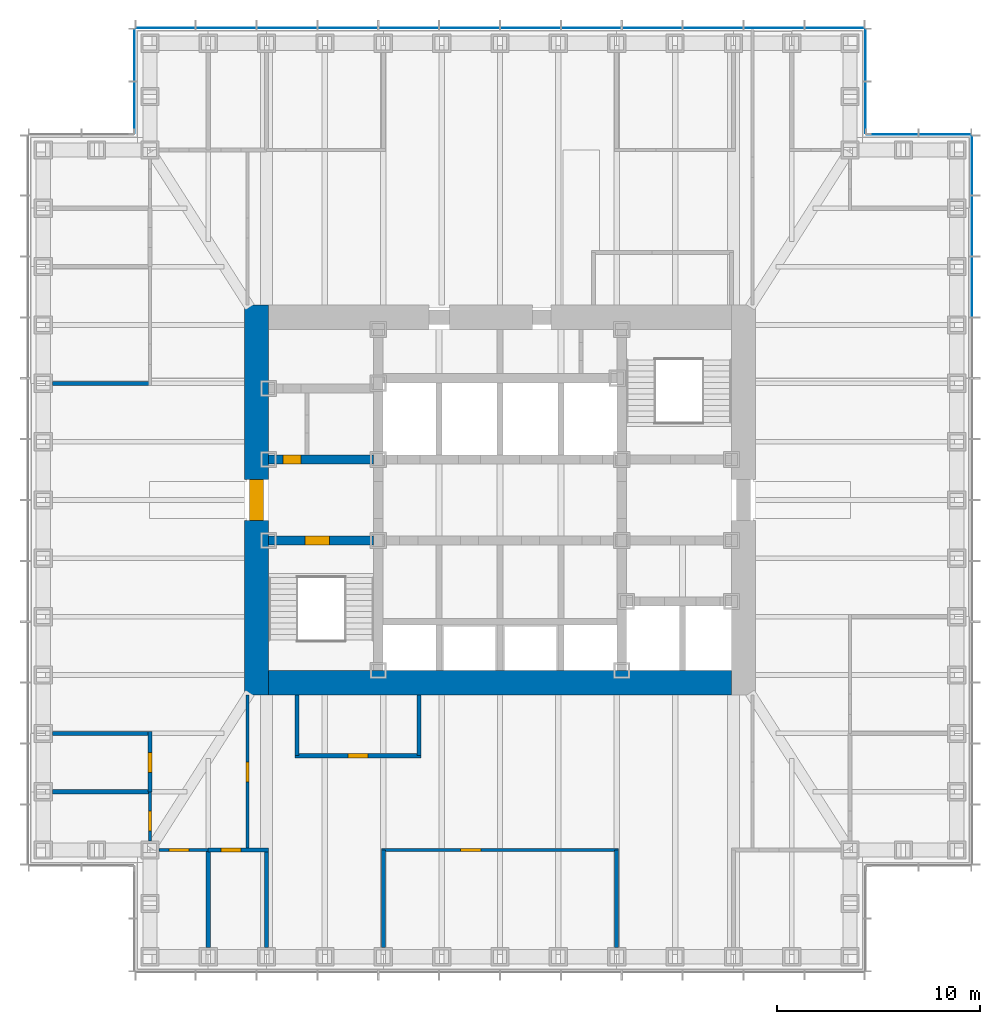
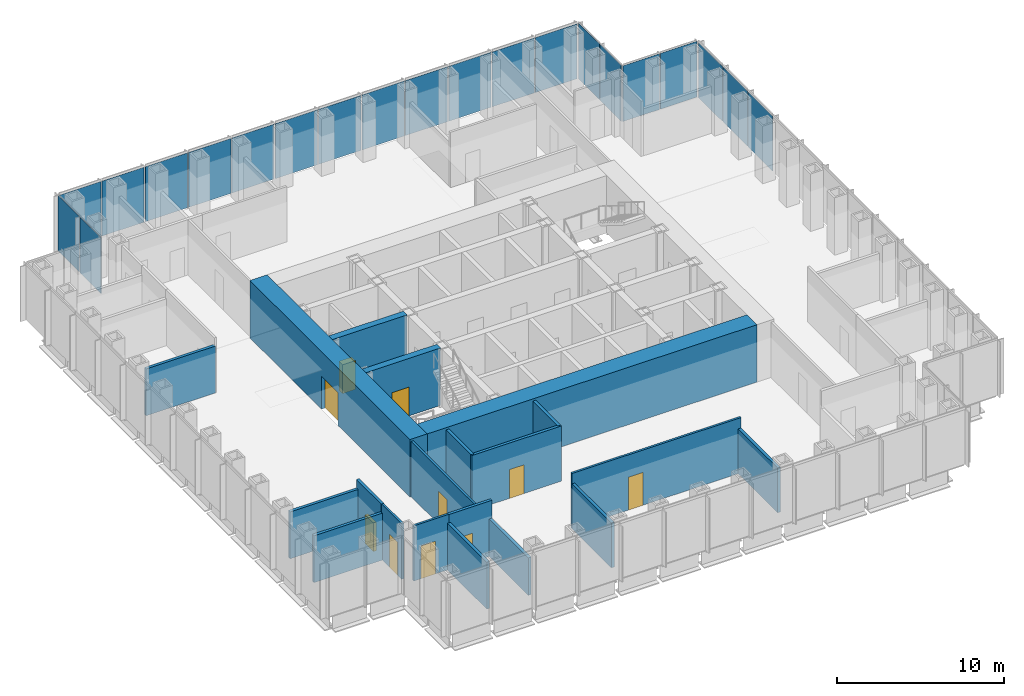
# One storey, part 8 of 17: 21 plates, 20 walls, 10 doors, 10 openings, 5 elements without a shape of their own.
"""IFC4 building model written with IfcOpenShell, lengths in metres."""

import ifcopenshell
import ifcopenshell.guid

model = None  # the IFC model being written
_history = None  # IfcOwnerHistory: only IFC2X3 demands one
_inside = {}  # id of a spatial element -> (the spatial element, [elements in it])
_under = {}  # id of a project, library or spatial element -> (it, [spatial elements below it])
_declared = {}  # id of a project -> (the project, [libraries it declares])
_typed = {}  # id of a type object -> (the type object, [elements of that type])
_made_of = {}  # id of a material, layer set ... -> (it, [elements and type objects made of it])


def new_model(schema):
    """Start an empty IFC model of exactly this schema.

    Asked for "IFC4X3", IfcOpenShell would pick the latest addendum, in which some entities
    have other attributes; the version numbers below select the first issue.
    IFC2X3 requires an IfcOwnerHistory on every rooted entity: one is made here for all.
    """
    global model, _history
    if schema == "IFC4X3":
        model = ifcopenshell.file(schema_version=(4, 3, 0, 0))
    else:
        model = ifcopenshell.file(schema=schema)
    _inside.clear()
    _under.clear()
    _declared.clear()
    _typed.clear()
    _made_of.clear()
    _history = None
    if model.schema == "IFC2X3":
        org = make("IfcOrganization", Name="unknown")
        user = make(
            "IfcPersonAndOrganization",
            ThePerson=make("IfcPerson", FamilyName="unknown"),
            TheOrganization=org,
        )
        app = make(
            "IfcApplication",
            ApplicationDeveloper=org,
            Version="unknown",
            ApplicationFullName="unknown",
            ApplicationIdentifier="unknown",
        )
        _history = make(
            "IfcOwnerHistory",
            OwningUser=user,
            OwningApplication=app,
            ChangeAction="ADDED",
            CreationDate=0,
        )
    return model


def make(cls, **values):
    """One entity of the class cls with the attributes given. An attribute that is None is left unset."""
    return model.create_entity(
        cls, **{name: value for name, value in values.items() if value is not None}
    )


def rooted(cls, **values):
    """An entity with a GlobalId (a new one), such as an element, a storey or a relation."""
    return make(cls, GlobalId=ifcopenshell.guid.new(), OwnerHistory=_history, **values)


def si_unit(unit_type, name, prefix=None):
    """IfcSIUnit, for example si_unit("LENGTHUNIT", "METRE", prefix="MILLI")."""
    return make("IfcSIUnit", UnitType=unit_type, Prefix=prefix, Name=name)


def assignment(units):
    """IfcUnitAssignment: the units of a project."""
    return None if units is None else make("IfcUnitAssignment", Units=units)


def point(xyz):
    """IfcCartesianPoint."""
    return None if xyz is None else make("IfcCartesianPoint", Coordinates=xyz)


def direction(xyz):
    """IfcDirection."""
    return None if xyz is None else make("IfcDirection", DirectionRatios=xyz)


def frame(location, z_axis=None, x_axis=None):
    """IfcAxis2Placement3D, a coordinate frame: its origin and axes. An axis left out is left unset."""
    return make(
        "IfcAxis2Placement3D",
        Location=point(location),
        Axis=direction(z_axis),
        RefDirection=direction(x_axis),
    )


def frame_2d(location, x_axis=None):
    """IfcAxis2Placement2D, a coordinate frame in the plane: its origin and x axis."""
    return make(
        "IfcAxis2Placement2D", Location=point(location), RefDirection=direction(x_axis)
    )


def origin():
    """The frame at (0, 0, 0) with its axes left unset."""
    return frame((0.0, 0.0, 0.0))


def origin_2d():
    """The frame at (0, 0) in the plane with its x axis left unset."""
    return frame_2d((0.0, 0.0))


def place(relative_to, where):
    """IfcLocalPlacement: puts the frame where relative to a parent placement (None: the world)."""
    return make(
        "IfcLocalPlacement", PlacementRelTo=relative_to, RelativePlacement=where
    )


def context(
    kind, dimensions, precision=None, world=None, true_north=None, identifier=None
):
    """IfcGeometricRepresentationContext, for example the 3D "Model" context."""
    return make(
        "IfcGeometricRepresentationContext",
        ContextIdentifier=identifier,
        ContextType=kind,
        CoordinateSpaceDimension=dimensions,
        Precision=precision,
        WorldCoordinateSystem=world,
        TrueNorth=true_north,
    )


def subcontext(parent, identifier, kind, view, scale=None):
    """IfcGeometricRepresentationSubContext, for example "Body" below "Model"."""
    return make(
        "IfcGeometricRepresentationSubContext",
        ContextIdentifier=identifier,
        ContextType=kind,
        ParentContext=parent,
        TargetScale=scale,
        TargetView=view,
    )


def project(units=None, contexts=None):
    """IfcProject with its units and contexts."""
    return rooted(
        "IfcProject",
        Name="project",
        RepresentationContexts=contexts,
        UnitsInContext=assignment(units),
    )


def spatial(cls, under=None, at=None, **own):
    """A site, building, storey or space (cls), placed at a placement, below another one or the project."""
    s = rooted(cls, ObjectPlacement=at, **own)
    if under is not None:
        _under.setdefault(under.id(), (under, []))[1].append(s)
    return s


def profile(cls, at=None, kind="AREA", **sizes):
    """A parametric profile (cls). Its sizes go by their IFC names, for example OverallWidth=200.0."""
    return make(cls, ProfileType=kind, Position=at, **sizes)


def rectangle(**sizes):
    """IfcRectangleProfileDef."""
    return profile("IfcRectangleProfileDef", **sizes)


def extrude(swept, where, along, depth):
    """IfcExtrudedAreaSolid: the profile swept, set in the frame where, extruded along a direction by depth."""
    return make(
        "IfcExtrudedAreaSolid",
        SweptArea=swept,
        Position=where,
        ExtrudedDirection=direction(along),
        Depth=depth,
    )


def shape(context_of_items, identifier, shape_type, items):
    """IfcShapeRepresentation: the items that make up one representation, for example the "Body"."""
    return make(
        "IfcShapeRepresentation",
        ContextOfItems=context_of_items,
        RepresentationIdentifier=identifier,
        RepresentationType=shape_type,
        Items=items,
    )


def material(Name=None, Category=None):
    """IfcMaterial."""
    return make("IfcMaterial", Name=Name, Category=Category)


def layer(
    of_material, thickness, ventilated=None, Name=None, Category=None, Priority=None
):
    """IfcMaterialLayer: one layer of a wall or slab, of a material (None: an air gap)."""
    return make(
        "IfcMaterialLayer",
        Material=of_material,
        LayerThickness=thickness,
        IsVentilated=ventilated,
        Name=Name,
        Category=Category,
        Priority=Priority,
    )


def layer_set(layers, Name=None):
    """IfcMaterialLayerSet."""
    return make("IfcMaterialLayerSet", MaterialLayers=layers, LayerSetName=Name)


def made_of(thing, what):
    """Note that an element or type object is made of a material, layer set ...; save() writes the relation."""
    if what is not None:
        _made_of.setdefault(what.id(), (what, []))[1].append(thing)
    return thing


def type_object(cls, material=None, **own):
    """A type object (cls), such as IfcWallType, which elements share."""
    return made_of(rooted(cls, **own), material)


def element(
    cls,
    number,
    at=None,
    inside=None,
    cuts=None,
    type_object=None,
    material=None,
    context=None,
    identifier="Body",
    shape_type=None,
    held_by="IfcProductDefinitionShape",
    body=None,
    shapes=None,
    **own,
):
    """One element of the class cls, such as IfcWall. Its Tag is "e" and its number.

    at: its placement. inside: the storey or other place that contains it. cuts: it is an
    opening in that element (IfcRelVoidsElement). A single representation is given by context,
    identifier, shape_type and body (its items); several are given by shapes. held_by: the class
    of the entity that holds the representations. save() writes the other relations.
    """
    e = rooted(cls, Tag="e%d" % number, ObjectPlacement=at, **own)
    if body is not None:
        shapes = [shape(context, identifier, shape_type, body)]
    if shapes is not None:
        e.Representation = make(held_by, Representations=shapes)
    if inside is not None:
        _inside.setdefault(inside.id(), (inside, []))[1].append(e)
    if cuts is not None:
        rooted(
            "IfcRelVoidsElement", RelatingBuildingElement=cuts, RelatedOpeningElement=e
        )
    if type_object is not None:
        _typed.setdefault(type_object.id(), (type_object, []))[1].append(e)
    return made_of(e, material)


def fill(opening, filler):
    """IfcRelFillsElement: the door or window that sits in an opening."""
    return rooted(
        "IfcRelFillsElement",
        RelatingOpeningElement=opening,
        RelatedBuildingElement=filler,
    )


def aggregate(whole, parts):
    """IfcRelAggregates: a whole, such as a stair, and the parts it consists of."""
    return rooted("IfcRelAggregates", RelatingObject=whole, RelatedObjects=parts)


def save(model, path):
    """Write the relations noted so far, then the file.

    IfcRelAggregates (storeys below a building ...), IfcRelContainedInSpatialStructure (elements
    in a storey), IfcRelDefinesByType, IfcRelAssociatesMaterial and IfcRelDeclares: one each for
    every whole, place, type object, material and project.
    """
    for whole, parts in _under.values():
        aggregate(whole, parts)
    for where, things in _inside.values():
        rooted(
            "IfcRelContainedInSpatialStructure",
            RelatedElements=things,
            RelatingStructure=where,
        )
    for kind, things in _typed.values():
        rooted("IfcRelDefinesByType", RelatedObjects=things, RelatingType=kind)
    for what, things in _made_of.values():
        rooted("IfcRelAssociatesMaterial", RelatedObjects=things, RelatingMaterial=what)
    for by, libraries in _declared.values():
        rooted("IfcRelDeclares", RelatingContext=by, RelatedDefinitions=libraries)
    model.write(path)


model = new_model("IFC4")

# Units and contexts
model_context = context("Model", 3, precision=1e-05, world=origin(), true_north=direction((0.0, 1.0)))
body_context = subcontext(model_context, "Body", "Model", "MODEL_VIEW")
ifc_project = project(units=[si_unit("LENGTHUNIT", "METRE"), si_unit("AREAUNIT", "SQUARE_METRE"), si_unit("VOLUMEUNIT", "CUBIC_METRE"), si_unit("PLANEANGLEUNIT", "RADIAN"), si_unit("MASSUNIT", "GRAM", prefix="KILO")], contexts=[model_context])

# Site, building, storey
site_placement = place(None, origin())
site = spatial("IfcSite", under=ifc_project, at=site_placement, CompositionType="ELEMENT")
building_placement = place(site_placement, origin())
building = spatial("IfcBuilding", under=site, at=building_placement, Name="Daluyong Arena Tower", CompositionType="ELEMENT")
storey_placement = place(building_placement, frame((0.0, 0.0, 145.89990234375)))
storey = spatial("IfcBuildingStorey", under=building, at=storey_placement, Name="L32", CompositionType="ELEMENT", Elevation=145.89990234375)

# Curtain wall, plates
ifc_material_1 = material(Name="Bronze anodised aluminium and glass", Category="aluminium")
curtain_wall_type_1 = type_object("IfcCurtainWallType", Name="Curtain wall CW2", PredefinedType="USERDEFINED", material=ifc_material_1)
curtain_wall_1_placement = place(storey_placement, origin())
curtain_wall_1 = element("IfcCurtainWall", 1, at=curtain_wall_1_placement, inside=storey, type_object=curtain_wall_type_1, Name="curtain wall L32 E", ObjectType="UNITISED CURTAIN WALL", PredefinedType="USERDEFINED")
ifc_material_2 = material(Name="Tinted double glazed unit", Category="glass")
ifc_layer_1 = layer(ifc_material_2, 0.031982421875)
ifc_layer_set_1 = layer_set([ifc_layer_1], Name="Tinted double glazed unit")
plate_type_1 = type_object("IfcPlateType", Name="CW2 panel 32", PredefinedType="CURTAIN_PANEL", material=ifc_layer_set_1)
plate_1_placement = place(storey_placement, frame((79.25, 90.5, 0.0), z_axis=(0.0, 0.0, 1.0), x_axis=(0.0, 1.0, 0.0)))
plate_1 = element("IfcPlate", 2, at=plate_1_placement, type_object=plate_type_1, Name="curtain wall L32 E panel 10", PredefinedType="CURTAIN_PANEL", context=body_context, shape_type="SweptSolid", body=[
    extrude(rectangle(XDim=2.919921875, YDim=0.031982421875, at=origin_2d()), origin(), (0.0, 0.0, 1.0), 4.02001953125),
])
plate_2_placement = place(storey_placement, frame((79.25, 93.5, 0.0), z_axis=(0.0, 0.0, 1.0), x_axis=(0.0, 1.0, 0.0)))
plate_2 = element("IfcPlate", 3, at=plate_2_placement, type_object=plate_type_1, Name="curtain wall L32 E panel 11", PredefinedType="CURTAIN_PANEL", context=body_context, shape_type="SweptSolid", body=[
    extrude(rectangle(XDim=2.919921875, YDim=0.031982421875, at=origin_2d()), origin(), (0.0, 0.0, 1.0), 4.02001953125),
])
plate_3_placement = place(storey_placement, frame((79.25, 96.47998046875, 0.0), z_axis=(0.0, 0.0, 1.0), x_axis=(0.0, 1.0, 0.0)))
plate_3 = element("IfcPlate", 4, at=plate_3_placement, type_object=plate_type_1, Name="curtain wall L32 E panel 12", PredefinedType="CURTAIN_PANEL", context=body_context, shape_type="SweptSolid", body=[
    extrude(rectangle(XDim=2.8798828125, YDim=0.031982421875, at=origin_2d()), origin(), (0.0, 0.0, 1.0), 4.02001953125),
])
aggregate(curtain_wall_1, [plate_1, plate_2, plate_3])

curtain_wall_2_placement = place(storey_placement, origin())
curtain_wall_2 = element("IfcCurtainWall", 5, at=curtain_wall_2_placement, inside=storey, type_object=curtain_wall_type_1, Name="curtain wall L32 N", ObjectType="UNITISED CURTAIN WALL", PredefinedType="USERDEFINED")
plate_4_placement = place(storey_placement, frame((72.47998046875, 103.25, 0.0), z_axis=(0.0, 0.0, 1.0), x_axis=(-1.0, 0.0, 0.0)))
plate_4 = element("IfcPlate", 6, at=plate_4_placement, type_object=plate_type_1, Name="curtain wall L32 N panel 1", PredefinedType="CURTAIN_PANEL", context=body_context, shape_type="SweptSolid", body=[
    extrude(rectangle(XDim=2.8798828125, YDim=0.031982421875, at=origin_2d()), origin(), (0.0, 0.0, 1.0), 4.02001953125),
])
plate_5_placement = place(storey_placement, frame((69.5, 103.25, 0.0), z_axis=(0.0, 0.0, 1.0), x_axis=(-1.0, 0.0, 0.0)))
plate_5 = element("IfcPlate", 7, at=plate_5_placement, type_object=plate_type_1, Name="curtain wall L32 N panel 2", PredefinedType="CURTAIN_PANEL", context=body_context, shape_type="SweptSolid", body=[
    extrude(rectangle(XDim=2.919921875, YDim=0.031982421875, at=origin_2d()), origin(), (0.0, 0.0, 1.0), 4.02001953125),
])
plate_6_placement = place(storey_placement, frame((66.5, 103.25, 0.0), z_axis=(0.0, 0.0, 1.0), x_axis=(-1.0, 0.0, 0.0)))
plate_6 = element("IfcPlate", 8, at=plate_6_placement, type_object=plate_type_1, Name="curtain wall L32 N panel 3", PredefinedType="CURTAIN_PANEL", context=body_context, shape_type="SweptSolid", body=[
    extrude(rectangle(XDim=2.919921875, YDim=0.031982421875, at=origin_2d()), origin(), (0.0, 0.0, 1.0), 4.02001953125),
])
plate_7_placement = place(storey_placement, frame((63.5, 103.25, 0.0), z_axis=(0.0, 0.0, 1.0), x_axis=(-1.0, 0.0, 0.0)))
plate_7 = element("IfcPlate", 9, at=plate_7_placement, type_object=plate_type_1, Name="curtain wall L32 N panel 4", PredefinedType="CURTAIN_PANEL", context=body_context, shape_type="SweptSolid", body=[
    extrude(rectangle(XDim=2.919921875, YDim=0.031982421875, at=origin_2d()), origin(), (0.0, 0.0, 1.0), 4.02001953125),
])
plate_8_placement = place(storey_placement, frame((60.5, 103.25, 0.0), z_axis=(0.0, 0.0, 1.0), x_axis=(-1.0, 0.0, 0.0)))
plate_8 = element("IfcPlate", 10, at=plate_8_placement, type_object=plate_type_1, Name="curtain wall L32 N panel 5", PredefinedType="CURTAIN_PANEL", context=body_context, shape_type="SweptSolid", body=[
    extrude(rectangle(XDim=2.919921875, YDim=0.031982421875, at=origin_2d()), origin(), (0.0, 0.0, 1.0), 4.02001953125),
])
plate_9_placement = place(storey_placement, frame((57.5, 103.25, 0.0), z_axis=(0.0, 0.0, 1.0), x_axis=(-1.0, 0.0, 0.0)))
plate_9 = element("IfcPlate", 11, at=plate_9_placement, type_object=plate_type_1, Name="curtain wall L32 N panel 6", PredefinedType="CURTAIN_PANEL", context=body_context, shape_type="SweptSolid", body=[
    extrude(rectangle(XDim=2.919921875, YDim=0.031982421875, at=origin_2d()), origin(), (0.0, 0.0, 1.0), 4.02001953125),
])
plate_10_placement = place(storey_placement, frame((54.5, 103.25, 0.0), z_axis=(0.0, 0.0, 1.0), x_axis=(-1.0, 0.0, 0.0)))
plate_10 = element("IfcPlate", 12, at=plate_10_placement, type_object=plate_type_1, Name="curtain wall L32 N panel 7", PredefinedType="CURTAIN_PANEL", context=body_context, shape_type="SweptSolid", body=[
    extrude(rectangle(XDim=2.919921875, YDim=0.031982421875, at=origin_2d()), origin(), (0.0, 0.0, 1.0), 4.02001953125),
])
plate_11_placement = place(storey_placement, frame((51.5, 103.25, 0.0), z_axis=(0.0, 0.0, 1.0), x_axis=(-1.0, 0.0, 0.0)))
plate_11 = element("IfcPlate", 13, at=plate_11_placement, type_object=plate_type_1, Name="curtain wall L32 N panel 8", PredefinedType="CURTAIN_PANEL", context=body_context, shape_type="SweptSolid", body=[
    extrude(rectangle(XDim=2.919921875, YDim=0.031982421875, at=origin_2d()), origin(), (0.0, 0.0, 1.0), 4.02001953125),
])
plate_12_placement = place(storey_placement, frame((48.5, 103.25, 0.0), z_axis=(0.0, 0.0, 1.0), x_axis=(-1.0, 0.0, 0.0)))
plate_12 = element("IfcPlate", 14, at=plate_12_placement, type_object=plate_type_1, Name="curtain wall L32 N panel 9", PredefinedType="CURTAIN_PANEL", context=body_context, shape_type="SweptSolid", body=[
    extrude(rectangle(XDim=2.919921875, YDim=0.031982421875, at=origin_2d()), origin(), (0.0, 0.0, 1.0), 4.02001953125),
])
plate_13_placement = place(storey_placement, frame((45.5, 103.25, 0.0), z_axis=(0.0, 0.0, 1.0), x_axis=(-1.0, 0.0, 0.0)))
plate_13 = element("IfcPlate", 15, at=plate_13_placement, type_object=plate_type_1, Name="curtain wall L32 N panel 10", PredefinedType="CURTAIN_PANEL", context=body_context, shape_type="SweptSolid", body=[
    extrude(rectangle(XDim=2.919921875, YDim=0.031982421875, at=origin_2d()), origin(), (0.0, 0.0, 1.0), 4.02001953125),
])
plate_14_placement = place(storey_placement, frame((42.5, 103.25, 0.0), z_axis=(0.0, 0.0, 1.0), x_axis=(-1.0, 0.0, 0.0)))
plate_14 = element("IfcPlate", 16, at=plate_14_placement, type_object=plate_type_1, Name="curtain wall L32 N panel 11", PredefinedType="CURTAIN_PANEL", context=body_context, shape_type="SweptSolid", body=[
    extrude(rectangle(XDim=2.919921875, YDim=0.031982421875, at=origin_2d()), origin(), (0.0, 0.0, 1.0), 4.02001953125),
])
plate_15_placement = place(storey_placement, frame((39.52001953125, 103.25, 0.0), z_axis=(0.0, 0.0, 1.0), x_axis=(-1.0, 0.0, 0.0)))
plate_15 = element("IfcPlate", 17, at=plate_15_placement, type_object=plate_type_1, Name="curtain wall L32 N panel 12", PredefinedType="CURTAIN_PANEL", context=body_context, shape_type="SweptSolid", body=[
    extrude(rectangle(XDim=2.8798828125, YDim=0.031982421875, at=origin_2d()), origin(), (0.0, 0.0, 1.0), 4.02001953125),
])
aggregate(curtain_wall_2, [plate_4, plate_5, plate_6, plate_7, plate_8, plate_9, plate_10, plate_11, plate_12, plate_13, plate_14, plate_15])

ifc_material_3 = material(Name="Bronze anodised aluminium and glass", Category="aluminium")
curtain_wall_type_2 = type_object("IfcCurtainWallType", Name="Curtain wall CW7", PredefinedType="USERDEFINED", material=ifc_material_3)
curtain_wall_3_placement = place(storey_placement, origin())
curtain_wall_3 = element("IfcCurtainWall", 18, at=curtain_wall_3_placement, inside=storey, type_object=curtain_wall_type_2, Name="curtain wall L32 NE-N", ObjectType="UNITISED CURTAIN WALL", PredefinedType="USERDEFINED")
ifc_material_4 = material(Name="Tinted double glazed unit", Category="glass")
ifc_layer_2 = layer(ifc_material_4, 0.028076171875)
ifc_layer_set_2 = layer_set([ifc_layer_2], Name="Tinted double glazed unit")
plate_type_2 = type_object("IfcPlateType", Name="CW7 panel 28", PredefinedType="CURTAIN_PANEL", material=ifc_layer_set_2)
plate_16_placement = place(storey_placement, frame((77.922607421875, 98.0, 0.0), z_axis=(0.0, 0.0, 1.0), x_axis=(-1.0, 0.0, 0.0)))
plate_16 = element("IfcPlate", 19, at=plate_16_placement, type_object=plate_type_2, Name="curtain wall L32 NE-N panel 1", PredefinedType="CURTAIN_PANEL", context=body_context, shape_type="SweptSolid", body=[
    extrude(rectangle(XDim=2.534912109375, YDim=0.028076171875, at=origin_2d()), origin(), (0.0, 0.0, 1.0), 4.080078125),
])
plate_17_placement = place(storey_placement, frame((75.327392578125, 98.0, 0.0), z_axis=(0.0, 0.0, 1.0), x_axis=(-1.0, 0.0, 0.0)))
plate_17 = element("IfcPlate", 20, at=plate_17_placement, type_object=plate_type_2, Name="curtain wall L32 NE-N panel 2", PredefinedType="CURTAIN_PANEL", context=body_context, shape_type="SweptSolid", body=[
    extrude(rectangle(XDim=2.534912109375, YDim=0.028076171875, at=origin_2d()), origin(), (0.0, 0.0, 1.0), 4.080078125),
])
aggregate(curtain_wall_3, [plate_16, plate_17])

curtain_wall_4_placement = place(storey_placement, origin())
curtain_wall_4 = element("IfcCurtainWall", 21, at=curtain_wall_4_placement, inside=storey, type_object=curtain_wall_type_2, Name="curtain wall L32 NE-E", ObjectType="UNITISED CURTAIN WALL", PredefinedType="USERDEFINED")
plate_18_placement = place(storey_placement, frame((74.0, 99.327392578125, 0.0), z_axis=(0.0, 0.0, 1.0), x_axis=(0.0, 1.0, 0.0)))
plate_18 = element("IfcPlate", 22, at=plate_18_placement, type_object=plate_type_2, Name="curtain wall L32 NE-E panel 1", PredefinedType="CURTAIN_PANEL", context=body_context, shape_type="SweptSolid", body=[
    extrude(rectangle(XDim=2.534912109375, YDim=0.028076171875, at=origin_2d()), origin(), (0.0, 0.0, 1.0), 4.080078125),
])
plate_19_placement = place(storey_placement, frame((74.0, 101.922607421875, 0.0), z_axis=(0.0, 0.0, 1.0), x_axis=(0.0, 1.0, 0.0)))
plate_19 = element("IfcPlate", 23, at=plate_19_placement, type_object=plate_type_2, Name="curtain wall L32 NE-E panel 2", PredefinedType="CURTAIN_PANEL", context=body_context, shape_type="SweptSolid", body=[
    extrude(rectangle(XDim=2.534912109375, YDim=0.028076171875, at=origin_2d()), origin(), (0.0, 0.0, 1.0), 4.080078125),
])
aggregate(curtain_wall_4, [plate_18, plate_19])

curtain_wall_5_placement = place(storey_placement, origin())
curtain_wall_5 = element("IfcCurtainWall", 24, at=curtain_wall_5_placement, inside=storey, type_object=curtain_wall_type_2, Name="curtain wall L32 NW-W", ObjectType="UNITISED CURTAIN WALL", PredefinedType="USERDEFINED")
plate_20_placement = place(storey_placement, frame((38.0, 101.922607421875, 0.0), z_axis=(0.0, 0.0, 1.0), x_axis=(0.0, -1.0, 0.0)))
plate_20 = element("IfcPlate", 25, at=plate_20_placement, type_object=plate_type_2, Name="curtain wall L32 NW-W panel 1", PredefinedType="CURTAIN_PANEL", context=body_context, shape_type="SweptSolid", body=[
    extrude(rectangle(XDim=2.534912109375, YDim=0.028076171875, at=origin_2d()), origin(), (0.0, 0.0, 1.0), 4.080078125),
])
plate_21_placement = place(storey_placement, frame((38.0, 99.327392578125, 0.0), z_axis=(0.0, 0.0, 1.0), x_axis=(0.0, -1.0, 0.0)))
plate_21 = element("IfcPlate", 26, at=plate_21_placement, type_object=plate_type_2, Name="curtain wall L32 NW-W panel 2", PredefinedType="CURTAIN_PANEL", context=body_context, shape_type="SweptSolid", body=[
    extrude(rectangle(XDim=2.534912109375, YDim=0.028076171875, at=origin_2d()), origin(), (0.0, 0.0, 1.0), 4.080078125),
])
aggregate(curtain_wall_5, [plate_20, plate_21])

# Wall, opening, door
ifc_material_5 = material(Name="Concrete fc' 45 MPa", Category="concrete")
ifc_layer_3 = layer(ifc_material_5, 0.449951171875)
ifc_layer_set_3 = layer_set([ifc_layer_3], Name="Concrete fc' 45 MPa")
wall_type_1 = type_object("IfcWallType", Name="Core inner wall 450", PredefinedType="SHEAR", material=ifc_layer_set_3)
wall_1_placement = place(storey_placement, frame((44.60009765625, 78.0, 0.0), z_axis=(0.0, 0.0, 1.0), x_axis=(1.0, 0.0, 0.0)))
wall_1 = element("IfcWall", 27, at=wall_1_placement, inside=storey, type_object=wall_type_1, Name="core inner wall at L32", PredefinedType="SHEAR", context=body_context, shape_type="SweptSolid", body=[
    extrude(rectangle(XDim=5.1748046875, YDim=0.449951171875, at=frame_2d((2.58740234375, 0.0))), origin(), (0.0, 0.0, 1.0), 4.2001953125),
])
opening_1_placement = place(wall_1_placement, frame((1.800048828125, 0.0, 0.0)))
opening_1 = element("IfcOpeningElement", 28, at=opening_1_placement, cuts=wall_1, Name="Opening 32011", PredefinedType="OPENING", context=body_context, shape_type="SweptSolid", body=[
    extrude(rectangle(XDim=1.199951171875, YDim=2.10009765625, at=frame_2d((0.60009765625, 1.050048828125))), frame((0.0, 0.23486328125, 0.0), z_axis=(0.0, -1.0, 0.0), x_axis=(1.0, 0.0, 0.0)), (0.0, 0.0, 1.0), 0.469970703125),
])
ifc_material_6 = material(Name="Steel door, fire rated", Category="steel")
door_type_1 = type_object("IfcDoorType", Name="Stair door 1200", OperationType="SINGLE_SWING_LEFT", PredefinedType="DOOR", material=ifc_material_6)
door_1_placement = place(opening_1_placement, origin())
door_1 = element("IfcDoor", 29, at=door_1_placement, inside=storey, type_object=door_type_1, Name="stair A door 32011", OperationType="SINGLE_SWING_LEFT", OverallHeight=2.10009765625, OverallWidth=1.199951171875, PredefinedType="DOOR", context=body_context, shape_type="SweptSolid", body=[
    extrude(rectangle(XDim=1.199951171875, YDim=2.10009765625, at=frame_2d((0.60009765625, 1.050048828125))), frame((0.0, 0.224609375, 0.0), z_axis=(0.0, -1.0, 0.0), x_axis=(1.0, 0.0, 0.0)), (0.0, 0.0, 1.0), 0.449462890625),
])
fill(opening_1, door_1)

wall_2_placement = place(storey_placement, frame((44.60009765625, 82.0, 0.0), z_axis=(0.0, 0.0, 1.0), x_axis=(1.0, 0.0, 0.0)))
wall_2 = element("IfcWall", 30, at=wall_2_placement, inside=storey, type_object=wall_type_1, Name="core inner wall at L32", PredefinedType="SHEAR", context=body_context, shape_type="SweptSolid", body=[
    extrude(rectangle(XDim=5.1748046875, YDim=0.449951171875, at=frame_2d((2.58740234375, 0.0))), origin(), (0.0, 0.0, 1.0), 4.2001953125),
])
opening_2_placement = place(wall_2_placement, frame((0.699951171875, 0.0, 0.0)))
opening_2 = element("IfcOpeningElement", 31, at=opening_2_placement, cuts=wall_2, Name="Opening 32001", PredefinedType="OPENING", context=body_context, shape_type="SweptSolid", body=[
    extrude(rectangle(XDim=0.89990234375, YDim=2.10009765625, at=frame_2d((0.449951171875, 1.050048828125))), frame((0.0, 0.23486328125, 0.0), z_axis=(0.0, -1.0, 0.0), x_axis=(1.0, 0.0, 0.0)), (0.0, 0.0, 1.0), 0.469970703125),
])
ifc_material_7 = material(Name="Steel door, fire rated", Category="steel")
door_type_2 = type_object("IfcDoorType", Name="Core room door 900", OperationType="SINGLE_SWING_LEFT", PredefinedType="DOOR", material=ifc_material_7)
door_2_placement = place(opening_2_placement, origin())
door_2 = element("IfcDoor", 32, at=door_2_placement, inside=storey, type_object=door_type_2, Name="toilet lobby door 32001", OperationType="SINGLE_SWING_LEFT", OverallHeight=2.10009765625, OverallWidth=0.89990234375, PredefinedType="DOOR", context=body_context, shape_type="SweptSolid", body=[
    extrude(rectangle(XDim=0.89990234375, YDim=2.10009765625, at=frame_2d((0.449951171875, 1.050048828125))), frame((0.0, 0.224609375, 0.0), z_axis=(0.0, -1.0, 0.0), x_axis=(1.0, 0.0, 0.0)), (0.0, 0.0, 1.0), 0.449462890625),
])
fill(opening_2, door_2)

ifc_material_8 = material(Name="Concrete fc' 60 MPa", Category="concrete")
ifc_layer_4 = layer(ifc_material_8, 1.199951171875)
ifc_layer_set_4 = layer_set([ifc_layer_4], Name="Concrete fc' 60 MPa")
wall_type_2 = type_object("IfcWallType", Name="Core wall 1200", PredefinedType="SHEAR", material=ifc_layer_set_4)
wall_3_placement = place(storey_placement, frame((44.0, 70.39990234375, 0.0), z_axis=(0.0, 0.0, 1.0), x_axis=(0.0, 1.0, 0.0)))
wall_3 = element("IfcWall", 33, at=wall_3_placement, inside=storey, type_object=wall_type_2, Name="core wall at L32", PredefinedType="SHEAR", context=body_context, shape_type="SweptSolid", body=[
    extrude(rectangle(XDim=19.2001953125, YDim=1.199951171875, at=frame_2d((9.60009765625, 0.0))), origin(), (0.0, 0.0, 1.0), 4.2001953125),
])
opening_3_placement = place(wall_3_placement, frame((8.60009765625, 0.0, 0.0)))
opening_3 = element("IfcOpeningElement", 34, at=opening_3_placement, cuts=wall_3, Name="Opening 32013", PredefinedType="OPENING", context=body_context, shape_type="SweptSolid", body=[
    extrude(rectangle(XDim=2.0, YDim=2.39990234375, at=frame_2d((1.0, 1.199951171875))), frame((0.0, 0.60986328125, 0.0), z_axis=(0.0, -1.0, 0.0), x_axis=(1.0, 0.0, 0.0)), (0.0, 0.0, 1.0), 1.219970703125),
])
ifc_material_9 = material(Name="Steel door, fire rated", Category="steel")
door_type_3 = type_object("IfcDoorType", Name="Core lobby double door 2000", OperationType="DOUBLE_DOOR_SINGLE_SWING", PredefinedType="DOOR", material=ifc_material_9)
door_3_placement = place(opening_3_placement, origin())
door_3 = element("IfcDoor", 35, at=door_3_placement, inside=storey, type_object=door_type_3, Name="core lobby door west 32013", OperationType="DOUBLE_DOOR_SINGLE_SWING", OverallHeight=2.39990234375, OverallWidth=2.0, PredefinedType="DOOR", context=body_context, shape_type="SweptSolid", body=[
    extrude(rectangle(XDim=2.0, YDim=2.39990234375, at=frame_2d((1.0, 1.199951171875))), frame((0.0, 0.35009765625, 0.0), z_axis=(0.0, -1.0, 0.0), x_axis=(1.0, 0.0, 0.0)), (0.0, 0.0, 1.0), 0.699951171875),
])
fill(opening_3, door_3)

# Wall
wall_4_placement = place(storey_placement, frame((44.60009765625, 71.0, 0.0), z_axis=(0.0, 0.0, 1.0), x_axis=(1.0, 0.0, 0.0)))
element("IfcWall", 36, at=wall_4_placement, inside=storey, type_object=wall_type_2, Name="core wall at L32", PredefinedType="SHEAR", context=body_context, shape_type="SweptSolid", body=[
    extrude(rectangle(XDim=22.7998046875, YDim=1.199951171875, at=frame_2d((11.39990234375, 0.0))), origin(), (0.0, 0.0, 1.0), 4.2001953125),
])

# Wall, opening, door
ifc_material_10 = material(Name="Glazed aluminium partition", Category="aluminium")
ifc_layer_5 = layer(ifc_material_10, 0.14990234375)
ifc_layer_set_5 = layer_set([ifc_layer_5], Name="Glazed aluminium partition")
wall_type_3 = type_object("IfcWallType", Name="Glazed partition 150", PredefinedType="PARTITIONING", material=ifc_layer_set_5)
wall_5_placement = place(storey_placement, frame((39.199951171875, 62.75, 0.0), z_axis=(0.0, 0.0, 1.0), x_axis=(1.0, 0.0, 0.0)))
wall_5 = element("IfcWall", 37, at=wall_5_placement, inside=storey, type_object=wall_type_3, Name="glazed partition at L32", PredefinedType="PARTITIONING", context=body_context, shape_type="SweptSolid", body=[
    extrude(rectangle(XDim=2.425048828125, YDim=0.14990234375, at=frame_2d((1.21240234375, 0.0))), origin(), (0.0, 0.0, 1.0), 4.0400390625),
])
opening_4_placement = place(wall_5_placement, frame((0.487548828125, 0.0, 0.0)))
opening_4 = element("IfcOpeningElement", 38, at=opening_4_placement, cuts=wall_5, Name="Opening 32024", PredefinedType="OPENING", context=body_context, shape_type="SweptSolid", body=[
    extrude(rectangle(XDim=1.0, YDim=2.39990234375, at=frame_2d((0.5, 1.199951171875))), frame((0.0, 0.0849609375, 0.0), z_axis=(0.0, -1.0, 0.0), x_axis=(1.0, 0.0, 0.0)), (0.0, 0.0, 1.0), 0.169921875),
])
ifc_material_11 = material(Name="Glazed aluminium door", Category="aluminium")
door_type_4 = type_object("IfcDoorType", Name="Meeting room glazed door 1000", OperationType="SINGLE_SWING_RIGHT", PredefinedType="DOOR", material=ifc_material_11)
door_4_placement = place(opening_4_placement, origin())
door_4 = element("IfcDoor", 39, at=door_4_placement, inside=storey, type_object=door_type_4, Name="focus room door 32024", OperationType="SINGLE_SWING_RIGHT", OverallHeight=2.39990234375, OverallWidth=1.0, PredefinedType="DOOR", context=body_context, shape_type="SweptSolid", body=[
    extrude(rectangle(XDim=1.0, YDim=2.39990234375, at=frame_2d((0.5, 1.199951171875))), frame((0.0, 0.07470703125, 0.0), z_axis=(0.0, -1.0, 0.0), x_axis=(1.0, 0.0, 0.0)), (0.0, 0.0, 1.0), 0.1494140625),
])
fill(opening_4, door_4)

wall_6_placement = place(storey_placement, frame((50.14990234375, 62.75, 0.0), z_axis=(0.0, 0.0, 1.0), x_axis=(1.0, 0.0, 0.0)))
wall_6 = element("IfcWall", 40, at=wall_6_placement, inside=storey, type_object=wall_type_3, Name="glazed partition at L32", PredefinedType="PARTITIONING", context=body_context, shape_type="SweptSolid", body=[
    extrude(rectangle(XDim=11.7001953125, YDim=0.14990234375, at=frame_2d((5.85009765625, 0.0))), origin(), (0.0, 0.0, 1.0), 4.0400390625),
])
opening_5_placement = place(wall_6_placement, frame((3.91259765625, 0.0, 0.0)))
opening_5 = element("IfcOpeningElement", 41, at=opening_5_placement, cuts=wall_6, Name="Opening 32026", PredefinedType="OPENING", context=body_context, shape_type="SweptSolid", body=[
    extrude(rectangle(XDim=1.0, YDim=2.39990234375, at=frame_2d((0.5, 1.199951171875))), frame((0.0, 0.0849609375, 0.0), z_axis=(0.0, -1.0, 0.0), x_axis=(1.0, 0.0, 0.0)), (0.0, 0.0, 1.0), 0.169921875),
])
door_5_placement = place(opening_5_placement, origin())
door_5 = element("IfcDoor", 42, at=door_5_placement, inside=storey, type_object=door_type_4, Name="boardroom door 32026", OperationType="SINGLE_SWING_RIGHT", OverallHeight=2.39990234375, OverallWidth=1.0, PredefinedType="DOOR", context=body_context, shape_type="SweptSolid", body=[
    extrude(rectangle(XDim=1.0, YDim=2.39990234375, at=frame_2d((0.5, 1.199951171875))), frame((0.0, 0.07470703125, 0.0), z_axis=(0.0, -1.0, 0.0), x_axis=(1.0, 0.0, 0.0)), (0.0, 0.0, 1.0), 0.1494140625),
])
fill(opening_5, door_5)

wall_7_placement = place(storey_placement, frame((38.75, 63.199951171875, 0.0), z_axis=(0.0, 0.0, 1.0), x_axis=(0.0, 1.0, 0.0)))
wall_7 = element("IfcWall", 43, at=wall_7_placement, inside=storey, type_object=wall_type_3, Name="glazed partition at L32", PredefinedType="PARTITIONING", context=body_context, shape_type="SweptSolid", body=[
    extrude(rectangle(XDim=2.425048828125, YDim=0.14990234375, at=frame_2d((1.21240234375, 0.0))), origin(), (0.0, 0.0, 1.0), 4.0400390625),
])
opening_6_placement = place(wall_7_placement, frame((0.487548828125, 0.0, 0.0)))
opening_6 = element("IfcOpeningElement", 44, at=opening_6_placement, cuts=wall_7, Name="Opening 32036", PredefinedType="OPENING", context=body_context, shape_type="SweptSolid", body=[
    extrude(rectangle(XDim=1.0, YDim=2.39990234375, at=frame_2d((0.5, 1.199951171875))), frame((0.0, 0.0849609375, 0.0), z_axis=(0.0, -1.0, 0.0), x_axis=(1.0, 0.0, 0.0)), (0.0, 0.0, 1.0), 0.169921875),
])
door_6_placement = place(opening_6_placement, origin())
door_6 = element("IfcDoor", 45, at=door_6_placement, inside=storey, type_object=door_type_4, Name="focus room door 32036", OperationType="SINGLE_SWING_RIGHT", OverallHeight=2.39990234375, OverallWidth=1.0, PredefinedType="DOOR", context=body_context, shape_type="SweptSolid", body=[
    extrude(rectangle(XDim=1.0, YDim=2.39990234375, at=frame_2d((0.5, 1.199951171875))), frame((0.0, 0.07470703125, 0.0), z_axis=(0.0, -1.0, 0.0), x_axis=(1.0, 0.0, 0.0)), (0.0, 0.0, 1.0), 0.1494140625),
])
fill(opening_6, door_6)

wall_8_placement = place(storey_placement, frame((43.550048828125, 62.800048828125, 0.0), z_axis=(0.0, 0.0, 1.0), x_axis=(0.0, 1.0, 0.0)))
wall_8 = element("IfcWall", 46, at=wall_8_placement, inside=storey, type_object=wall_type_3, Name="glazed partition at L32", PredefinedType="PARTITIONING", context=body_context, shape_type="SweptSolid", body=[
    extrude(rectangle(XDim=7.599853515625, YDim=0.14990234375, at=frame_2d((3.7998046875, 0.0))), origin(), (0.0, 0.0, 1.0), 4.0400390625),
])
opening_7_placement = place(wall_8_placement, frame((3.300048828125, 0.0, 0.0)))
opening_7 = element("IfcOpeningElement", 47, at=opening_7_placement, cuts=wall_8, Name="Opening 32043", PredefinedType="OPENING", context=body_context, shape_type="SweptSolid", body=[
    extrude(rectangle(XDim=1.0, YDim=2.39990234375, at=frame_2d((0.5, 1.199951171875))), frame((0.0, 0.0849609375, 0.0), z_axis=(0.0, -1.0, 0.0), x_axis=(1.0, 0.0, 0.0)), (0.0, 0.0, 1.0), 0.169921875),
])
door_7_placement = place(opening_7_placement, origin())
door_7 = element("IfcDoor", 48, at=door_7_placement, inside=storey, type_object=door_type_4, Name="team area screen door 32043", OperationType="SINGLE_SWING_RIGHT", OverallHeight=2.39990234375, OverallWidth=1.0, PredefinedType="DOOR", context=body_context, shape_type="SweptSolid", body=[
    extrude(rectangle(XDim=1.0, YDim=2.39990234375, at=frame_2d((0.5, 1.199951171875))), frame((0.0, 0.07470703125, 0.0), z_axis=(0.0, -1.0, 0.0), x_axis=(1.0, 0.0, 0.0)), (0.0, 0.0, 1.0), 0.1494140625),
])
fill(opening_7, door_7)

# Walls
ifc_material_12 = material(Name="Concrete block partition", Category="concrete")
ifc_layer_6 = layer(ifc_material_12, 0.199951171875)
ifc_layer_set_6 = layer_set([ifc_layer_6], Name="Concrete block partition")
wall_type_4 = type_object("IfcWallType", Name="Partition 200", PredefinedType="PARTITIONING", material=ifc_layer_set_6)
wall_9_placement = place(storey_placement, frame((41.625, 57.949951171875, 0.0), z_axis=(0.0, 0.0, 1.0), x_axis=(0.0, 1.0, 0.0)))
element("IfcWall", 49, at=wall_9_placement, inside=storey, type_object=wall_type_4, Name="partition at L32", PredefinedType="PARTITIONING", context=body_context, shape_type="SweptSolid", body=[
    extrude(rectangle(XDim=4.800048828125, YDim=0.199951171875, at=frame_2d((2.39990234375, 0.0))), origin(), (0.0, 0.0, 1.0), 3.427978515625),
])
wall_10_placement = place(storey_placement, frame((44.5, 57.949951171875, 0.0), z_axis=(0.0, 0.0, 1.0), x_axis=(0.0, 1.0, 0.0)))
element("IfcWall", 50, at=wall_10_placement, inside=storey, type_object=wall_type_4, Name="partition at L32", PredefinedType="PARTITIONING", context=body_context, shape_type="SweptSolid", body=[
    extrude(rectangle(XDim=4.800048828125, YDim=0.199951171875, at=frame_2d((2.39990234375, 0.0))), origin(), (0.0, 0.0, 1.0), 2.739990234375),
])
for number, where, z_axis, x_axis, name in (
    (51, (50.25, 57.949951171875, 0.0), (0.0, 0.0, 1.0), (0.0, 1.0, 0.0), "partition at L32"),
    (52, (61.75, 57.949951171875, 0.0), (0.0, 0.0, 1.0), (0.0, 1.0, 0.0), "partition at L32"),
):
    element("IfcWall", number, at=place(storey_placement, frame(where, z_axis=z_axis, x_axis=x_axis)), inside=storey, type_object=wall_type_4, Name=name, PredefinedType="PARTITIONING", context=body_context, shape_type="SweptSolid", body=[
        extrude(rectangle(XDim=4.800048828125, YDim=0.199951171875, at=frame_2d((2.39990234375, 0.0))), origin(), (0.0, 0.0, 1.0), 3.278076171875),
    ])
for number, where, z_axis, x_axis, name in (
    (53, (33.949951171875, 65.625, 0.0), (0.0, 0.0, 1.0), (1.0, 0.0, 0.0), "partition at L32"),
    (54, (33.949951171875, 68.5, 0.0), (0.0, 0.0, 1.0), (1.0, 0.0, 0.0), "partition at L32"),
    (55, (33.949951171875, 85.75, 0.0), (0.0, 0.0, 1.0), (1.0, 0.0, 0.0), "partition at L32"),
):
    element("IfcWall", number, at=place(storey_placement, frame(where, z_axis=z_axis, x_axis=x_axis)), inside=storey, type_object=wall_type_4, Name=name, PredefinedType="PARTITIONING", context=body_context, shape_type="SweptSolid", body=[
        extrude(rectangle(XDim=4.800048828125, YDim=0.199951171875, at=frame_2d((2.39990234375, 0.0))), origin(), (0.0, 0.0, 1.0), 3.427978515625),
    ])
for number, where, z_axis, x_axis, name in (
    (56, (46.0, 67.39990234375, 0.0), (0.0, 0.0, 1.0), (0.0, 1.0, 0.0), "partition at L32"),
    (57, (52.0, 67.39990234375, 0.0), (0.0, 0.0, 1.0), (0.0, 1.0, 0.0), "partition at L32"),
):
    element("IfcWall", number, at=place(storey_placement, frame(where, z_axis=z_axis, x_axis=x_axis)), inside=storey, type_object=wall_type_4, Name=name, PredefinedType="PARTITIONING", context=body_context, shape_type="SweptSolid", body=[
        extrude(rectangle(XDim=3.0, YDim=0.199951171875, at=frame_2d((1.5, 0.0))), origin(), (0.0, 0.0, 1.0), 4.0400390625),
    ])

# Wall, opening, door
wall_11_placement = place(storey_placement, frame((41.625, 62.75, 0.0), z_axis=(0.0, 0.0, 1.0), x_axis=(1.0, 0.0, 0.0)))
wall_11 = element("IfcWall", 58, at=wall_11_placement, inside=storey, type_object=wall_type_4, Name="partition at L32", PredefinedType="PARTITIONING", context=body_context, shape_type="SweptSolid", body=[
    extrude(rectangle(XDim=2.97509765625, YDim=0.199951171875, at=frame_2d((1.487548828125, 0.0))), origin(), (0.0, 0.0, 1.0), 4.0400390625),
])
opening_8_placement = place(wall_11_placement, frame((0.625, 0.0, 0.0)))
opening_8 = element("IfcOpeningElement", 59, at=opening_8_placement, cuts=wall_11, Name="Opening 32025", PredefinedType="OPENING", context=body_context, shape_type="SweptSolid", body=[
    extrude(rectangle(XDim=1.0, YDim=2.10009765625, at=frame_2d((0.5, 1.050048828125))), frame((0.0, 0.10986328125, 0.0), z_axis=(0.0, -1.0, 0.0), x_axis=(1.0, 0.0, 0.0)), (0.0, 0.0, 1.0), 0.219970703125),
])
ifc_material_13 = material(Name="Timber door", Category="wood")
door_type_5 = type_object("IfcDoorType", Name="Room door 1000", OperationType="SINGLE_SWING_LEFT", PredefinedType="DOOR", material=ifc_material_13)
door_8_placement = place(opening_8_placement, origin())
door_8 = element("IfcDoor", 60, at=door_8_placement, inside=storey, type_object=door_type_5, Name="quiet room door 32025", OperationType="SINGLE_SWING_LEFT", OverallHeight=2.10009765625, OverallWidth=1.0, PredefinedType="DOOR", context=body_context, shape_type="SweptSolid", body=[
    extrude(rectangle(XDim=1.0, YDim=2.10009765625, at=frame_2d((0.5, 1.050048828125))), frame((0.0, 0.099609375, 0.0), z_axis=(0.0, -1.0, 0.0), x_axis=(1.0, 0.0, 0.0)), (0.0, 0.0, 1.0), 0.199462890625),
])
fill(opening_8, door_8)

wall_12_placement = place(storey_placement, frame((45.89990234375, 67.39990234375, 0.0), z_axis=(0.0, 0.0, 1.0), x_axis=(1.0, 0.0, 0.0)))
wall_12 = element("IfcWall", 61, at=wall_12_placement, inside=storey, type_object=wall_type_4, Name="partition at L32", PredefinedType="PARTITIONING", context=body_context, shape_type="SweptSolid", body=[
    extrude(rectangle(XDim=6.2001953125, YDim=0.199951171875, at=frame_2d((3.10009765625, 0.0))), origin(), (0.0, 0.0, 1.0), 4.0400390625),
])
opening_9_placement = place(wall_12_placement, frame((2.60009765625, 0.0, 0.0)))
opening_9 = element("IfcOpeningElement", 62, at=opening_9_placement, cuts=wall_12, Name="Opening 32041", PredefinedType="OPENING", context=body_context, shape_type="SweptSolid", body=[
    extrude(rectangle(XDim=1.0, YDim=2.10009765625, at=frame_2d((0.5, 1.050048828125))), frame((0.0, 0.10986328125, 0.0), z_axis=(0.0, -1.0, 0.0), x_axis=(1.0, 0.0, 0.0)), (0.0, 0.0, 1.0), 0.219970703125),
])
door_9_placement = place(opening_9_placement, origin())
door_9 = element("IfcDoor", 63, at=door_9_placement, inside=storey, type_object=door_type_5, Name="pantry door 32041", OperationType="SINGLE_SWING_LEFT", OverallHeight=2.10009765625, OverallWidth=1.0, PredefinedType="DOOR", context=body_context, shape_type="SweptSolid", body=[
    extrude(rectangle(XDim=1.0, YDim=2.10009765625, at=frame_2d((0.5, 1.050048828125))), frame((0.0, 0.099609375, 0.0), z_axis=(0.0, -1.0, 0.0), x_axis=(1.0, 0.0, 0.0)), (0.0, 0.0, 1.0), 0.199462890625),
])
fill(opening_9, door_9)

wall_13_placement = place(storey_placement, frame((38.75, 65.625, 0.0), z_axis=(0.0, 0.0, 1.0), x_axis=(0.0, 1.0, 0.0)))
wall_13 = element("IfcWall", 64, at=wall_13_placement, inside=storey, type_object=wall_type_4, Name="partition at L32", PredefinedType="PARTITIONING", context=body_context, shape_type="SweptSolid", body=[
    extrude(rectangle(XDim=2.97509765625, YDim=0.199951171875, at=frame_2d((1.487548828125, 0.0))), origin(), (0.0, 0.0, 1.0), 4.0400390625),
])
opening_10_placement = place(wall_13_placement, frame((0.9375, 0.0, 0.0)))
opening_10 = element("IfcOpeningElement", 65, at=opening_10_placement, cuts=wall_13, Name="Opening 32037", PredefinedType="OPENING", context=body_context, shape_type="SweptSolid", body=[
    extrude(rectangle(XDim=1.0, YDim=2.10009765625, at=frame_2d((0.5, 1.050048828125))), frame((0.0, 0.10986328125, 0.0), z_axis=(0.0, -1.0, 0.0), x_axis=(1.0, 0.0, 0.0)), (0.0, 0.0, 1.0), 0.219970703125),
])
door_10_placement = place(opening_10_placement, origin())
door_10 = element("IfcDoor", 66, at=door_10_placement, inside=storey, type_object=door_type_5, Name="quiet room door 32037", OperationType="SINGLE_SWING_LEFT", OverallHeight=2.10009765625, OverallWidth=1.0, PredefinedType="DOOR", context=body_context, shape_type="SweptSolid", body=[
    extrude(rectangle(XDim=1.0, YDim=2.10009765625, at=frame_2d((0.5, 1.050048828125))), frame((0.0, 0.099609375, 0.0), z_axis=(0.0, -1.0, 0.0), x_axis=(1.0, 0.0, 0.0)), (0.0, 0.0, 1.0), 0.199462890625),
])
fill(opening_10, door_10)

save(model, "model.ifc")
